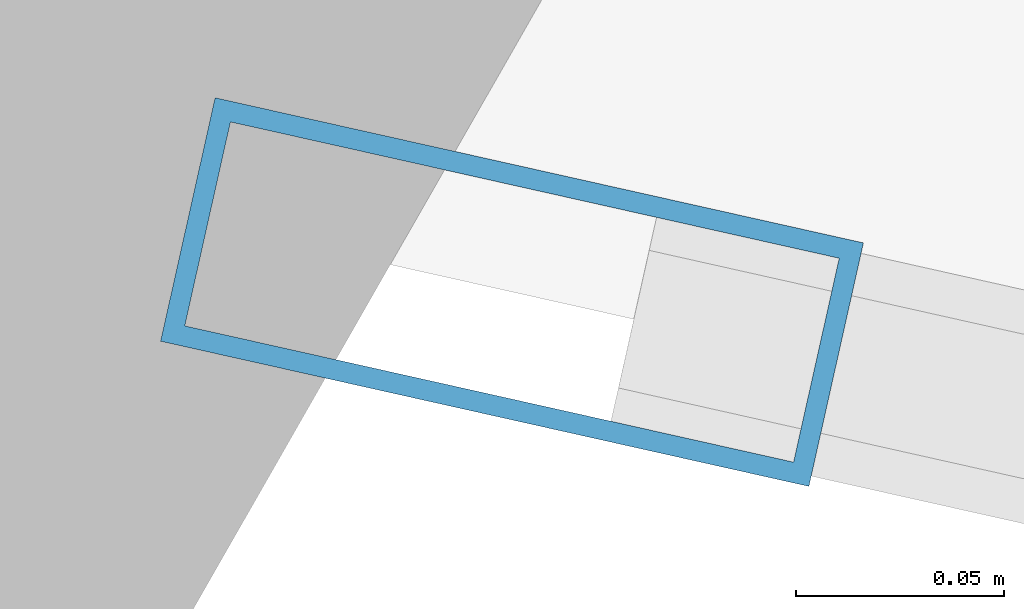
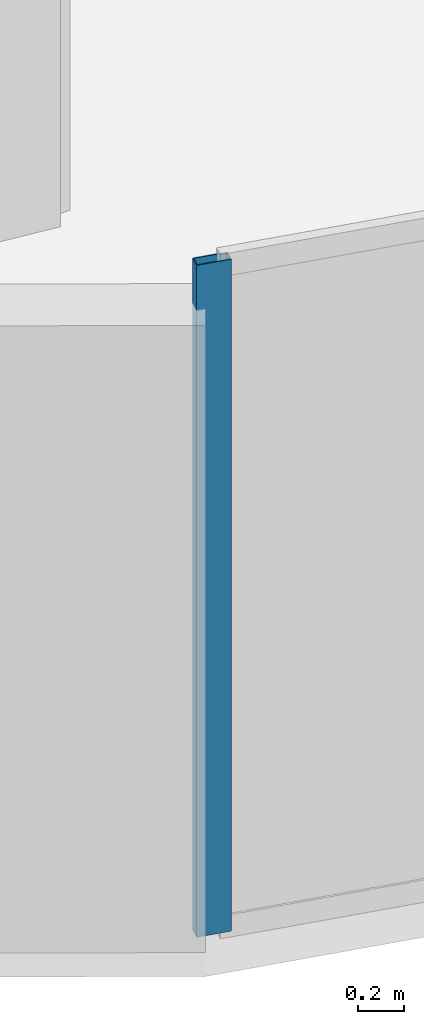
# One storey, part 2 of 23: 1 member, 1 element without a shape of its own.
"""IFC4 building model written with IfcOpenShell, lengths in metres."""

from ifc_helpers import new_model, si_unit, direction, frame, origin, origin_2d, place, context, subcontext, project, spatial, hollow_rectangle, extrude, source, transform, mapped, material, layer, layer_set, material_profile, profile_set, type_object, element, aggregate, save


model = new_model("IFC4")

# Units and contexts
model_context = context("Model", 3, precision=1e-05, world=origin(), true_north=direction((0.0, 1.0)))
body_context = subcontext(model_context, "Body", "Model", "MODEL_VIEW")
ifc_project = project(units=[si_unit("LENGTHUNIT", "METRE"), si_unit("AREAUNIT", "SQUARE_METRE"), si_unit("VOLUMEUNIT", "CUBIC_METRE"), si_unit("PLANEANGLEUNIT", "RADIAN"), si_unit("MASSUNIT", "GRAM", prefix="KILO")], contexts=[model_context])

# Site, building, storey
site_placement = place(None, origin())
site = spatial("IfcSite", under=ifc_project, at=site_placement, CompositionType="ELEMENT")
building_placement = place(site_placement, origin())
building = spatial("IfcBuilding", under=site, at=building_placement, Name="Solvirekh Grand Hotel", CompositionType="ELEMENT")
storey_placement = place(building_placement, frame((0.0, 0.0, 176.800048828125)))
storey = spatial("IfcBuildingStorey", under=building, at=storey_placement, Name="L45", CompositionType="ELEMENT", Elevation=176.800048828125)

# Curtain wall, member
ifc_material = material(Name="Anodized Bronze Aluminium 6063-T6", Category="aluminium")
ifc_layer = layer(ifc_material, 0.159912109375)
ifc_layer_set = layer_set([ifc_layer], Name="Anodized Bronze Aluminium 6063-T6")
curtain_wall_type = type_object("IfcCurtainWallType", Name="CW_Sys4_HighZoneFlushBronzeCW", PredefinedType="NOTDEFINED", material=ifc_layer_set)
curtain_wall_placement = place(storey_placement, origin())
curtain_wall = element("IfcCurtainWall", 1, at=curtain_wall_placement, inside=storey, type_object=curtain_wall_type, Name="L45 unitised bronze-glass curtain wall CW-L45-C18", PredefinedType="NOTDEFINED")
ifc_material_profile = material_profile(ifc_material, hollow_rectangle(XDim=0.06005859375, YDim=0.159912109375, WallThickness=0.0048828125, at=origin_2d()), Name="ALU RHS 160X60X5")
ifc_profile_set = profile_set([ifc_material_profile], Name="Anodized Bronze Aluminium 6063-T6")
member_type = type_object("IfcMemberType", Name="CWMullion_Sys4", PredefinedType="MULLION", material=ifc_profile_set)
shared_shape = source(origin(), body_context, "Body", "SweptSolid", [
    extrude(hollow_rectangle(XDim=0.06005859375, YDim=0.159912109375, WallThickness=0.0048828125, at=origin_2d()), origin(), (0.0, 0.0, 1.0), 3.599853515625),
])
member_placement = place(storey_placement, frame((-5.960693359375, -19.404541015625, 0.0), z_axis=(0.0, 0.0, 1.0), x_axis=(0.218487916144, 0.975839654092, 0.0)))
member = element("IfcMember", 2, at=member_placement, type_object=member_type, Name="U04 mullion 1", PredefinedType="MULLION", context=body_context, shape_type="MappedRepresentation", body=[
    mapped(shared_shape, transform((0.0, 0.0, 0.0), x_axis=(1.0, 0.0, 0.0), y_axis=(0.0, 1.0, 0.0), z_axis=(0.0, 0.0, 1.0), scale=1.0)),
])
aggregate(curtain_wall, [member])

save(model, "model.ifc")
